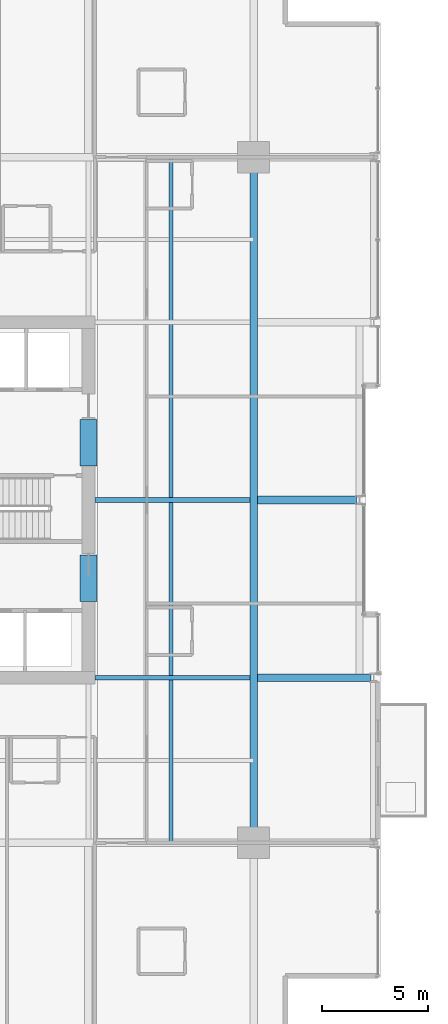
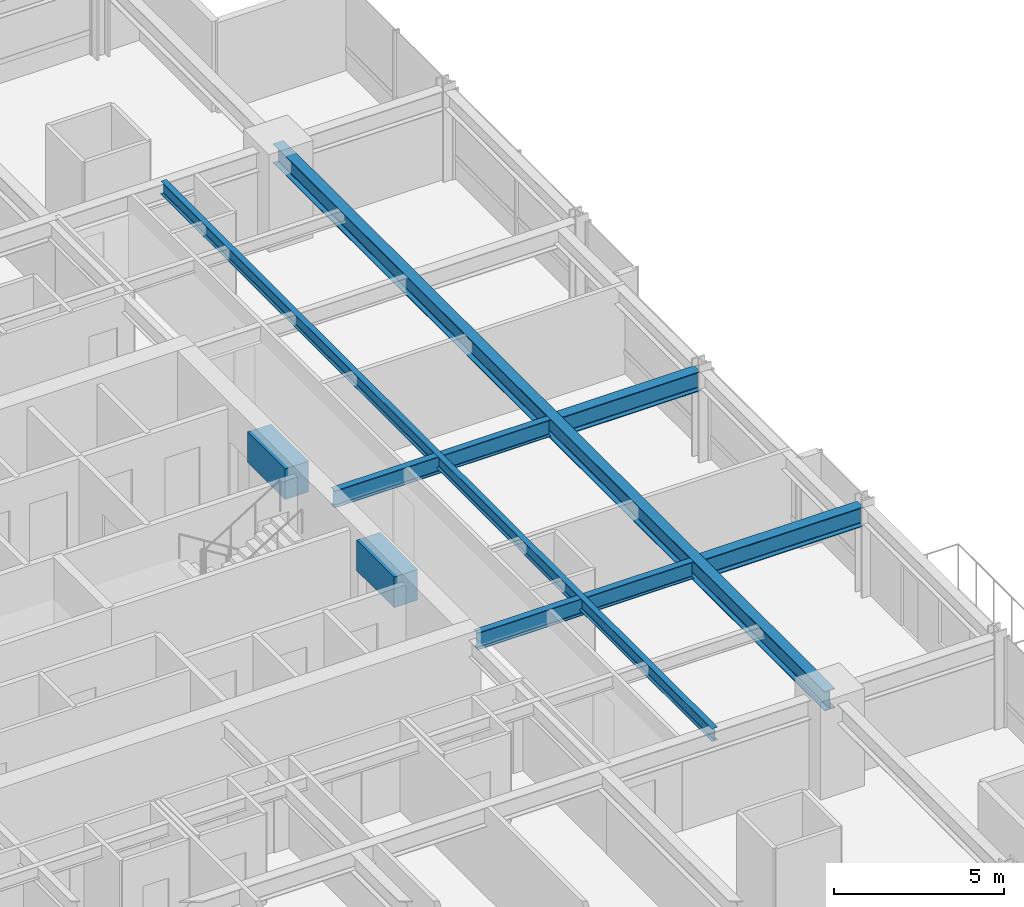
# One storey, part 14 of 34: 8 beams.
"""IFC4 building model written with IfcOpenShell, lengths in metres."""

from ifc_helpers import new_model, si_unit, direction, frame, origin, origin_2d, place, context, subcontext, project, spatial, rectangle, i_section, extrude, material, material_profile, profile_set, type_object, element, save


model = new_model("IFC4")

# Units and contexts
model_context = context("Model", 3, precision=1e-05, world=origin(), true_north=direction((0.0, 1.0)))
body_context = subcontext(model_context, "Body", "Model", "MODEL_VIEW")
ifc_project = project(units=[si_unit("LENGTHUNIT", "METRE"), si_unit("AREAUNIT", "SQUARE_METRE"), si_unit("VOLUMEUNIT", "CUBIC_METRE"), si_unit("PLANEANGLEUNIT", "RADIAN"), si_unit("MASSUNIT", "GRAM", prefix="KILO")], contexts=[model_context])

# Site, building, storey
site_placement = place(None, origin())
site = spatial("IfcSite", under=ifc_project, at=site_placement, CompositionType="ELEMENT")
building_placement = place(site_placement, origin())
building = spatial("IfcBuilding", under=site, at=building_placement, Name="Drelvath Grand Hotel", CompositionType="ELEMENT")
storey_placement = place(building_placement, frame((0.0, 0.0, 133.800048828125)))
storey = spatial("IfcBuildingStorey", under=building, at=storey_placement, Name="L34", CompositionType="ELEMENT", Elevation=133.800048828125)

# Beams
ifc_material_1 = material(Name="Steel ASTM A992 Gr 50", Category="steel")
ifc_material_profile_1 = material_profile(ifc_material_1, i_section(OverallWidth=0.19140625, OverallDepth=0.4599609375, WebThickness=0.010009765625, FlangeThickness=0.01611328125, FilletRadius=0.01611328125, at=origin_2d()), Name="W18X55")
ifc_profile_set_1 = profile_set([ifc_material_profile_1], Name="Steel ASTM A992 Gr 50")
beam_type_1 = type_object("IfcBeamType", Name="Composite Floor Joist W18X55", PredefinedType="JOIST", material=ifc_profile_set_1)
beam_1_placement = place(storey_placement, frame((12.300048828125, 10.800048828125, 3.010009765625), z_axis=(0.0, 1.0, 0.0), x_axis=(-1.0, 0.0, 0.0)))
element("IfcBeam", 1, at=beam_1_placement, inside=storey, type_object=beam_type_1, Name="L34 Wing Floor Joist J4", PredefinedType="JOIST", context=body_context, shape_type="SweptSolid", body=[
    extrude(i_section(OverallWidth=0.19140625, OverallDepth=0.4599609375, WebThickness=0.010009765625, FlangeThickness=0.01611328125, FilletRadius=0.01611328125, at=origin_2d()), origin(), (0.0, 0.0, 1.0), 32.39990234375),
])
ifc_material_2 = material(Name="Concrete f'c 70 MPa", Category="concrete")
ifc_material_profile_2 = material_profile(ifc_material_2, rectangle(XDim=0.800048828125, YDim=1.10009765625, at=origin_2d()), Name="CB800X1100")
ifc_profile_set_2 = profile_set([ifc_material_profile_2], Name="Concrete f'c 70 MPa")
beam_type_2 = type_object("IfcBeamType", Name="Core Coupling Lintel CB800X1100", PredefinedType="LINTEL", material=ifc_profile_set_2)
for number, where, z_axis, x_axis, name in (
    (2, (8.39990234375, 22.199951171875, 2.68994140625), (0.0, 1.0, 0.0), (-1.0, 0.0, 0.0), "L34 Core Coupling Lintel ES"),
    (3, (8.39990234375, 28.60009765625, 2.68994140625), (0.0, 1.0, 0.0), (-1.0, 0.0, 0.0), "L34 Core Coupling Lintel EN"),
):
    element("IfcBeam", number, at=place(storey_placement, frame(where, z_axis=z_axis, x_axis=x_axis)), inside=storey, type_object=beam_type_2, Name=name, PredefinedType="LINTEL", context=body_context, shape_type="SweptSolid", body=[
        extrude(rectangle(XDim=0.800048828125, YDim=1.10009765625, at=origin_2d()), origin(), (0.0, 0.0, 1.0), 2.199951171875),
    ])
ifc_material_profile_3 = material_profile(ifc_material_1, i_section(OverallWidth=0.228271484375, OverallDepth=0.607666015625, WebThickness=0.01123046875, FlangeThickness=0.017333984375, FilletRadius=0.02001953125, at=origin_2d()), Name="W24X76")
ifc_profile_set_3 = profile_set([ifc_material_profile_3], Name="Steel ASTM A992 Gr 50")
beam_type_3 = type_object("IfcBeamType", Name="Primary Floor Girder W24X76", PredefinedType="BEAM", material=ifc_profile_set_3)
for number, where, z_axis, x_axis, name in (
    (4, (8.699951171875, 18.60009765625, 2.93603515625), (1.0, 0.0, 0.0), (0.0, 1.0, 0.0), "L34 East Core Tie D"),
    (5, (8.699951171875, 27.0, 2.93603515625), (1.0, 0.0, 0.0), (0.0, 1.0, 0.0), "L34 East Core Tie E"),
):
    element("IfcBeam", number, at=place(storey_placement, frame(where, z_axis=z_axis, x_axis=x_axis)), inside=storey, type_object=beam_type_3, Name=name, PredefinedType="BEAM", context=body_context, shape_type="SweptSolid", body=[
        extrude(i_section(OverallWidth=0.228271484375, OverallDepth=0.607666015625, WebThickness=0.01123046875, FlangeThickness=0.017333984375, FilletRadius=0.02001953125, at=origin_2d()), origin(), (0.0, 0.0, 1.0), 7.32275390625),
    ])
ifc_material_profile_4 = material_profile(ifc_material_1, i_section(OverallWidth=0.354736328125, OverallDepth=0.695556640625, WebThickness=0.015380859375, FlangeThickness=0.025146484375, FilletRadius=0.02392578125, at=origin_2d()), Name="W27X146")
ifc_profile_set_4 = profile_set([ifc_material_profile_4], Name="Steel ASTM A992 Gr 50")
beam_type_4 = type_object("IfcBeamType", Name="Primary Floor Girder W27X146", PredefinedType="BEAM", material=ifc_profile_set_4)
beam_2_placement = place(storey_placement, frame((16.199951171875, 10.800048828125, 2.892333984375), z_axis=(0.0, 1.0, 0.0), x_axis=(-1.0, 0.0, 0.0)))
element("IfcBeam", 6, at=beam_2_placement, inside=storey, type_object=beam_type_4, Name="L34 Mega Ring Girder East", PredefinedType="BEAM", context=body_context, shape_type="SweptSolid", body=[
    extrude(i_section(OverallWidth=0.354736328125, OverallDepth=0.695556640625, WebThickness=0.015380859375, FlangeThickness=0.025146484375, FilletRadius=0.02392578125, at=origin_2d()), origin(), (0.0, 0.0, 1.0), 32.39990234375),
])
beam_3_placement = place(storey_placement, frame((16.37744140625, 18.60009765625, 2.892333984375), z_axis=(1.0, 0.0, 0.0), x_axis=(0.0, 1.0, 0.0)))
element("IfcBeam", 7, at=beam_3_placement, inside=storey, type_object=beam_type_4, Name="L34 East Wing Girder D", PredefinedType="BEAM", context=body_context, shape_type="SweptSolid", body=[
    extrude(i_section(OverallWidth=0.354736328125, OverallDepth=0.695556640625, WebThickness=0.015380859375, FlangeThickness=0.025146484375, FilletRadius=0.02392578125, at=origin_2d()), origin(), (0.0, 0.0, 1.0), 5.362548828125),
])
beam_4_placement = place(storey_placement, frame((16.37744140625, 27.0, 2.892333984375), z_axis=(1.0, 0.0, 0.0), x_axis=(0.0, 1.0, 0.0)))
element("IfcBeam", 8, at=beam_4_placement, inside=storey, type_object=beam_type_4, Name="L34 East Wing Girder E", PredefinedType="BEAM", context=body_context, shape_type="SweptSolid", body=[
    extrude(i_section(OverallWidth=0.354736328125, OverallDepth=0.695556640625, WebThickness=0.015380859375, FlangeThickness=0.025146484375, FilletRadius=0.02392578125, at=origin_2d()), origin(), (0.0, 0.0, 1.0), 4.6826171875),
])

save(model, "model.ifc")
